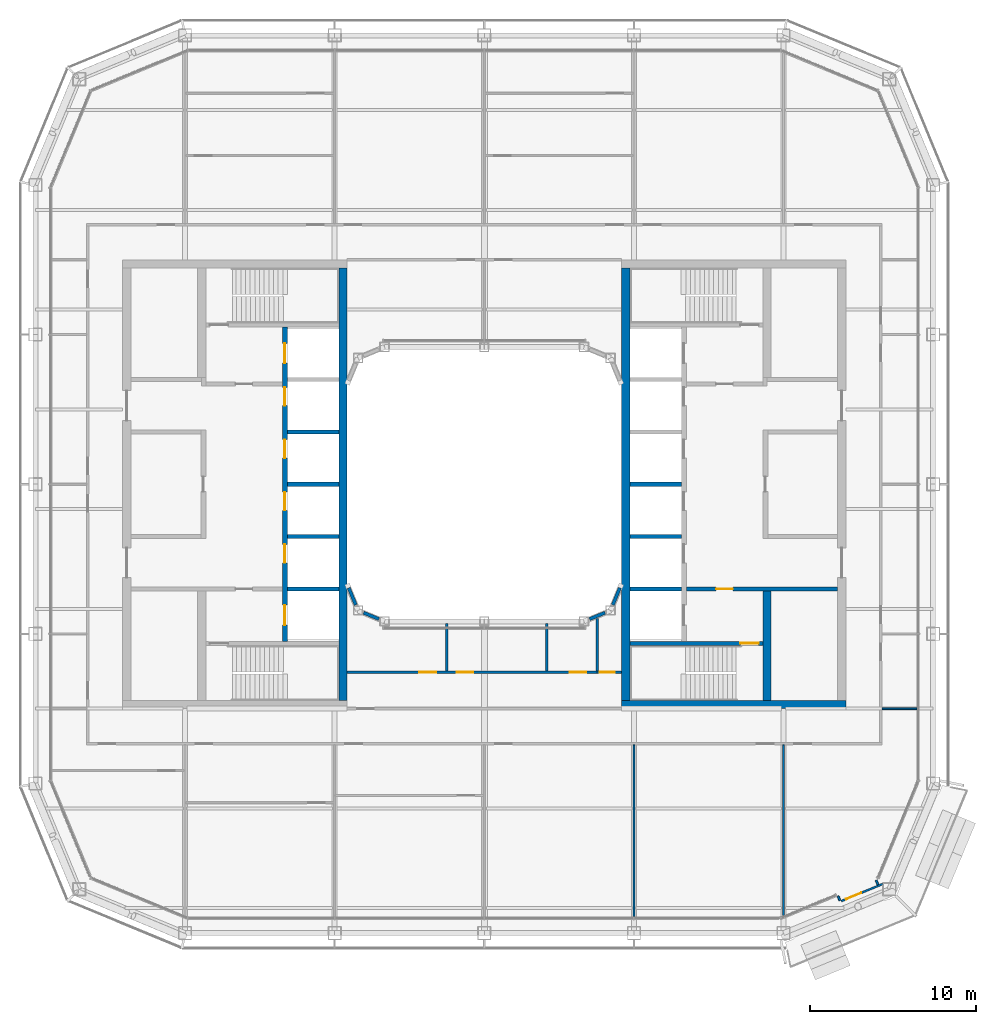
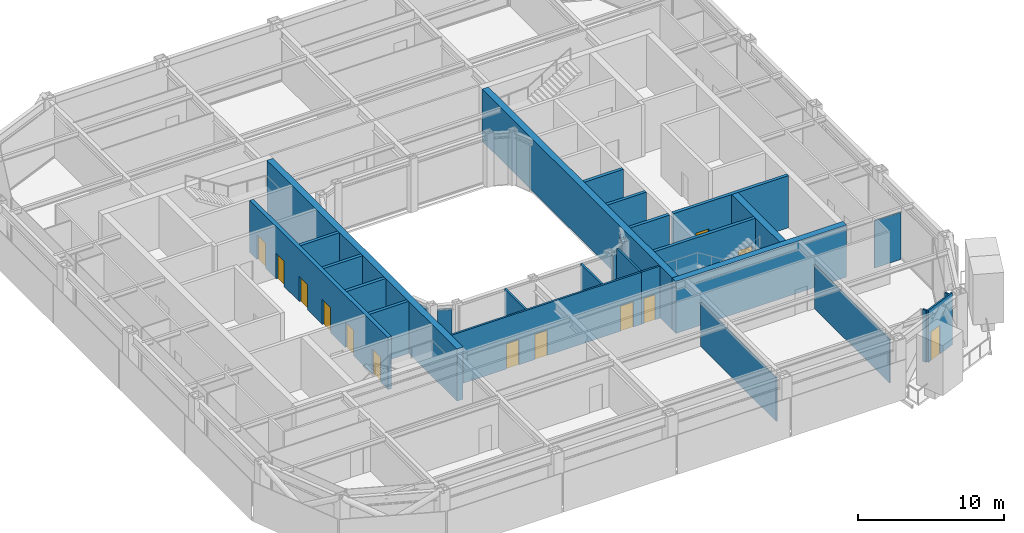
# One storey, part 13 of 23: 29 walls, 13 doors, 13 openings.
"""IFC4 building model written with IfcOpenShell, lengths in metres."""

import ifcopenshell
import ifcopenshell.guid

model = None  # the IFC model being written
_history = None  # IfcOwnerHistory: only IFC2X3 demands one
_inside = {}  # id of a spatial element -> (the spatial element, [elements in it])
_under = {}  # id of a project, library or spatial element -> (it, [spatial elements below it])
_declared = {}  # id of a project -> (the project, [libraries it declares])
_typed = {}  # id of a type object -> (the type object, [elements of that type])
_made_of = {}  # id of a material, layer set ... -> (it, [elements and type objects made of it])


def new_model(schema):
    """Start an empty IFC model of exactly this schema.

    Asked for "IFC4X3", IfcOpenShell would pick the latest addendum, in which some entities
    have other attributes; the version numbers below select the first issue.
    IFC2X3 requires an IfcOwnerHistory on every rooted entity: one is made here for all.
    """
    global model, _history
    if schema == "IFC4X3":
        model = ifcopenshell.file(schema_version=(4, 3, 0, 0))
    else:
        model = ifcopenshell.file(schema=schema)
    _inside.clear()
    _under.clear()
    _declared.clear()
    _typed.clear()
    _made_of.clear()
    _history = None
    if model.schema == "IFC2X3":
        org = make("IfcOrganization", Name="unknown")
        user = make(
            "IfcPersonAndOrganization",
            ThePerson=make("IfcPerson", FamilyName="unknown"),
            TheOrganization=org,
        )
        app = make(
            "IfcApplication",
            ApplicationDeveloper=org,
            Version="unknown",
            ApplicationFullName="unknown",
            ApplicationIdentifier="unknown",
        )
        _history = make(
            "IfcOwnerHistory",
            OwningUser=user,
            OwningApplication=app,
            ChangeAction="ADDED",
            CreationDate=0,
        )
    return model


def make(cls, **values):
    """One entity of the class cls with the attributes given. An attribute that is None is left unset."""
    return model.create_entity(
        cls, **{name: value for name, value in values.items() if value is not None}
    )


def rooted(cls, **values):
    """An entity with a GlobalId (a new one), such as an element, a storey or a relation."""
    return make(cls, GlobalId=ifcopenshell.guid.new(), OwnerHistory=_history, **values)


def si_unit(unit_type, name, prefix=None):
    """IfcSIUnit, for example si_unit("LENGTHUNIT", "METRE", prefix="MILLI")."""
    return make("IfcSIUnit", UnitType=unit_type, Prefix=prefix, Name=name)


def assignment(units):
    """IfcUnitAssignment: the units of a project."""
    return None if units is None else make("IfcUnitAssignment", Units=units)


def point(xyz):
    """IfcCartesianPoint."""
    return None if xyz is None else make("IfcCartesianPoint", Coordinates=xyz)


def direction(xyz):
    """IfcDirection."""
    return None if xyz is None else make("IfcDirection", DirectionRatios=xyz)


def frame(location, z_axis=None, x_axis=None):
    """IfcAxis2Placement3D, a coordinate frame: its origin and axes. An axis left out is left unset."""
    return make(
        "IfcAxis2Placement3D",
        Location=point(location),
        Axis=direction(z_axis),
        RefDirection=direction(x_axis),
    )


def frame_2d(location, x_axis=None):
    """IfcAxis2Placement2D, a coordinate frame in the plane: its origin and x axis."""
    return make(
        "IfcAxis2Placement2D", Location=point(location), RefDirection=direction(x_axis)
    )


def origin():
    """The frame at (0, 0, 0) with its axes left unset."""
    return frame((0.0, 0.0, 0.0))


def place(relative_to, where):
    """IfcLocalPlacement: puts the frame where relative to a parent placement (None: the world)."""
    return make(
        "IfcLocalPlacement", PlacementRelTo=relative_to, RelativePlacement=where
    )


def context(
    kind, dimensions, precision=None, world=None, true_north=None, identifier=None
):
    """IfcGeometricRepresentationContext, for example the 3D "Model" context."""
    return make(
        "IfcGeometricRepresentationContext",
        ContextIdentifier=identifier,
        ContextType=kind,
        CoordinateSpaceDimension=dimensions,
        Precision=precision,
        WorldCoordinateSystem=world,
        TrueNorth=true_north,
    )


def subcontext(parent, identifier, kind, view, scale=None):
    """IfcGeometricRepresentationSubContext, for example "Body" below "Model"."""
    return make(
        "IfcGeometricRepresentationSubContext",
        ContextIdentifier=identifier,
        ContextType=kind,
        ParentContext=parent,
        TargetScale=scale,
        TargetView=view,
    )


def project(units=None, contexts=None):
    """IfcProject with its units and contexts."""
    return rooted(
        "IfcProject",
        Name="project",
        RepresentationContexts=contexts,
        UnitsInContext=assignment(units),
    )


def spatial(cls, under=None, at=None, **own):
    """A site, building, storey or space (cls), placed at a placement, below another one or the project."""
    s = rooted(cls, ObjectPlacement=at, **own)
    if under is not None:
        _under.setdefault(under.id(), (under, []))[1].append(s)
    return s


def profile(cls, at=None, kind="AREA", **sizes):
    """A parametric profile (cls). Its sizes go by their IFC names, for example OverallWidth=200.0."""
    return make(cls, ProfileType=kind, Position=at, **sizes)


def rectangle(**sizes):
    """IfcRectangleProfileDef."""
    return profile("IfcRectangleProfileDef", **sizes)


def extrude(swept, where, along, depth):
    """IfcExtrudedAreaSolid: the profile swept, set in the frame where, extruded along a direction by depth."""
    return make(
        "IfcExtrudedAreaSolid",
        SweptArea=swept,
        Position=where,
        ExtrudedDirection=direction(along),
        Depth=depth,
    )


def shape(context_of_items, identifier, shape_type, items):
    """IfcShapeRepresentation: the items that make up one representation, for example the "Body"."""
    return make(
        "IfcShapeRepresentation",
        ContextOfItems=context_of_items,
        RepresentationIdentifier=identifier,
        RepresentationType=shape_type,
        Items=items,
    )


def material(Name=None, Category=None):
    """IfcMaterial."""
    return make("IfcMaterial", Name=Name, Category=Category)


def layer(
    of_material, thickness, ventilated=None, Name=None, Category=None, Priority=None
):
    """IfcMaterialLayer: one layer of a wall or slab, of a material (None: an air gap)."""
    return make(
        "IfcMaterialLayer",
        Material=of_material,
        LayerThickness=thickness,
        IsVentilated=ventilated,
        Name=Name,
        Category=Category,
        Priority=Priority,
    )


def layer_set(layers, Name=None):
    """IfcMaterialLayerSet."""
    return make("IfcMaterialLayerSet", MaterialLayers=layers, LayerSetName=Name)


def made_of(thing, what):
    """Note that an element or type object is made of a material, layer set ...; save() writes the relation."""
    if what is not None:
        _made_of.setdefault(what.id(), (what, []))[1].append(thing)
    return thing


def type_object(cls, material=None, **own):
    """A type object (cls), such as IfcWallType, which elements share."""
    return made_of(rooted(cls, **own), material)


def element(
    cls,
    number,
    at=None,
    inside=None,
    cuts=None,
    type_object=None,
    material=None,
    context=None,
    identifier="Body",
    shape_type=None,
    held_by="IfcProductDefinitionShape",
    body=None,
    shapes=None,
    **own,
):
    """One element of the class cls, such as IfcWall. Its Tag is "e" and its number.

    at: its placement. inside: the storey or other place that contains it. cuts: it is an
    opening in that element (IfcRelVoidsElement). A single representation is given by context,
    identifier, shape_type and body (its items); several are given by shapes. held_by: the class
    of the entity that holds the representations. save() writes the other relations.
    """
    e = rooted(cls, Tag="e%d" % number, ObjectPlacement=at, **own)
    if body is not None:
        shapes = [shape(context, identifier, shape_type, body)]
    if shapes is not None:
        e.Representation = make(held_by, Representations=shapes)
    if inside is not None:
        _inside.setdefault(inside.id(), (inside, []))[1].append(e)
    if cuts is not None:
        rooted(
            "IfcRelVoidsElement", RelatingBuildingElement=cuts, RelatedOpeningElement=e
        )
    if type_object is not None:
        _typed.setdefault(type_object.id(), (type_object, []))[1].append(e)
    return made_of(e, material)


def fill(opening, filler):
    """IfcRelFillsElement: the door or window that sits in an opening."""
    return rooted(
        "IfcRelFillsElement",
        RelatingOpeningElement=opening,
        RelatedBuildingElement=filler,
    )


def aggregate(whole, parts):
    """IfcRelAggregates: a whole, such as a stair, and the parts it consists of."""
    return rooted("IfcRelAggregates", RelatingObject=whole, RelatedObjects=parts)


def save(model, path):
    """Write the relations noted so far, then the file.

    IfcRelAggregates (storeys below a building ...), IfcRelContainedInSpatialStructure (elements
    in a storey), IfcRelDefinesByType, IfcRelAssociatesMaterial and IfcRelDeclares: one each for
    every whole, place, type object, material and project.
    """
    for whole, parts in _under.values():
        aggregate(whole, parts)
    for where, things in _inside.values():
        rooted(
            "IfcRelContainedInSpatialStructure",
            RelatedElements=things,
            RelatingStructure=where,
        )
    for kind, things in _typed.values():
        rooted("IfcRelDefinesByType", RelatedObjects=things, RelatingType=kind)
    for what, things in _made_of.values():
        rooted("IfcRelAssociatesMaterial", RelatedObjects=things, RelatingMaterial=what)
    for by, libraries in _declared.values():
        rooted("IfcRelDeclares", RelatingContext=by, RelatedDefinitions=libraries)
    model.write(path)


model = new_model("IFC4")

# Units and contexts
model_context = context("Model", 3, precision=1e-05, world=origin(), true_north=direction((0.0, 1.0)))
body_context = subcontext(model_context, "Body", "Model", "MODEL_VIEW")
ifc_project = project(units=[si_unit("LENGTHUNIT", "METRE"), si_unit("AREAUNIT", "SQUARE_METRE"), si_unit("VOLUMEUNIT", "CUBIC_METRE"), si_unit("PLANEANGLEUNIT", "RADIAN"), si_unit("MASSUNIT", "GRAM", prefix="KILO")], contexts=[model_context])

# Site, building, storey
site_placement = place(None, origin())
site = spatial("IfcSite", under=ifc_project, at=site_placement, CompositionType="ELEMENT")
building_placement = place(site_placement, origin())
building = spatial("IfcBuilding", under=site, at=building_placement, Name="Siwar Civic Tower", CompositionType="ELEMENT")
storey_placement = place(building_placement, frame((0.0, 0.0, 237.699951171875)))
storey = spatial("IfcBuildingStorey", under=building, at=storey_placement, Name="L51", CompositionType="ELEMENT", Elevation=237.699951171875)

# Wall, opening, door
ifc_material_1 = material(Name="Gypsum board on steel studs", Category="steel")
ifc_layer_1 = layer(ifc_material_1, 0.14990234375)
ifc_layer_set_1 = layer_set([ifc_layer_1], Name="Gypsum board on steel studs")
wall_type_1 = type_object("IfcWallType", Name="COMPARTMENT PARTITION 150 EI 60", PredefinedType="PARTITIONING", material=ifc_layer_set_1)
wall_1_placement = place(storey_placement, frame((6.780029296875, -11.300048828125, 0.0), z_axis=(0.0, 0.0, 1.0), x_axis=(1.0, 0.0, 0.0)))
wall_1 = element("IfcWall", 1, at=wall_1_placement, inside=storey, type_object=wall_type_1, Name="L51/wall/P09", PredefinedType="PARTITIONING", context=body_context, shape_type="SweptSolid", body=[
    extrude(rectangle(XDim=1.469970703125, YDim=0.14990234375, at=frame_2d((0.73486328125, 0.0))), origin(), (0.0, 0.0, 1.0), 4.35009765625),
])
opening_1_placement = place(wall_1_placement, frame((0.169921875, 0.0, 0.0)))
opening_1 = element("IfcOpeningElement", 2, at=opening_1_placement, cuts=wall_1, Name="Opening D4", PredefinedType="OPENING", context=body_context, shape_type="SweptSolid", body=[
    extrude(rectangle(XDim=0.89990234375, YDim=2.10009765625, at=frame_2d((0.449951171875, 1.050048828125))), frame((0.0, 0.0849609375, 0.0), z_axis=(0.0, -1.0, 0.0), x_axis=(1.0, 0.0, 0.0)), (0.0, 0.0, 1.0), 0.169921875),
])
ifc_material_2 = material(Name="Timber, painted", Category="wood")
door_type_1 = type_object("IfcDoorType", Name="DOOR 900 X 2100 FD60", OperationType="SINGLE_SWING_LEFT", PredefinedType="DOOR", material=ifc_material_2)
door_1_placement = place(opening_1_placement, origin())
door_1 = element("IfcDoor", 3, at=door_1_placement, inside=storey, type_object=door_type_1, Name="L51-D34", OperationType="SINGLE_SWING_RIGHT", OverallHeight=2.10009765625, OverallWidth=0.89990234375, PredefinedType="DOOR", context=body_context, shape_type="SweptSolid", body=[
    extrude(rectangle(XDim=0.89990234375, YDim=2.10009765625, at=frame_2d((0.449951171875, 1.050048828125))), frame((0.0, 0.02490234375, 0.0), z_axis=(0.0, -1.0, 0.0), x_axis=(1.0, 0.0, 0.0)), (0.0, 0.0, 1.0), 0.050048828125),
])
fill(opening_1, door_1)

# Walls
wall_2_placement = place(storey_placement, frame((6.780029296875, -11.22509765625, 0.0), z_axis=(0.0, 0.0, 1.0), x_axis=(0.0, 1.0, 0.0)))
element("IfcWall", 4, at=wall_2_placement, inside=storey, type_object=wall_type_1, Name="L51/wall/P34", PredefinedType="PARTITIONING", context=body_context, shape_type="SweptSolid", body=[
    extrude(rectangle(XDim=3.13818359375, YDim=0.14990234375, at=frame_2d((1.569091796875, 0.0))), origin(), (0.0, 0.0, 1.0), 4.35009765625),
])
ifc_material_3 = material(Name="Concrete C60/75", Category="concrete")
ifc_layer_2 = layer(ifc_material_3, 0.25)
ifc_layer_set_2 = layer_set([ifc_layer_2], Name="Concrete C60/75")
wall_type_2 = type_object("IfcWallType", Name="CORE-WALL-RC250", PredefinedType="SHEAR", material=ifc_layer_set_2)
for number, where, z_axis, x_axis, name in (
    (5, (-8.75, 0.0, 0.0), (0.0, 0.0, 1.0), (-1.0, 0.0, 0.0), "Core wall W"),
    (6, (-8.75, 3.14990234375, 0.0), (0.0, 0.0, 1.0), (-1.0, 0.0, 0.0), "Core wall W"),
    (7, (-8.75, -3.14990234375, 0.0), (0.0, 0.0, 1.0), (-1.0, 0.0, 0.0), "Core wall W"),
    (8, (-8.75, -6.300048828125, 0.0), (0.0, 0.0, 1.0), (-1.0, 0.0, 0.0), "Core wall W"),
):
    element("IfcWall", number, at=place(storey_placement, frame(where, z_axis=z_axis, x_axis=x_axis)), inside=storey, type_object=wall_type_2, Name=name, PredefinedType="SHEAR", context=body_context, shape_type="SweptSolid", body=[
        extrude(rectangle(XDim=3.10009765625, YDim=0.25, at=frame_2d((1.550048828125, 0.0))), origin(), (0.0, 0.0, 1.0), 4.35009765625),
    ])

# Wall, opening, door
wall_3_placement = place(storey_placement, frame((12.14990234375, -6.300048828125, 0.0), z_axis=(0.0, 0.0, 1.0), x_axis=(1.0, 0.0, 0.0)))
wall_3 = element("IfcWall", 9, at=wall_3_placement, inside=storey, type_object=wall_type_2, Name="Core wall E", PredefinedType="SHEAR", context=body_context, shape_type="SweptSolid", body=[
    extrude(rectangle(XDim=9.10009765625, YDim=0.25, at=frame_2d((4.550048828125, 0.0))), origin(), (0.0, 0.0, 1.0), 4.35009765625),
])
opening_2_placement = place(wall_3_placement, frame((1.800048828125, 0.0, 0.0)))
opening_2 = element("IfcOpeningElement", 10, at=opening_2_placement, cuts=wall_3, Name="Opening L51-CE02", PredefinedType="OPENING", context=body_context, shape_type="SweptSolid", body=[
    extrude(rectangle(XDim=1.0, YDim=2.10009765625, at=frame_2d((0.5, 1.050048828125))), frame((0.0, 0.135009765625, 0.0), z_axis=(0.0, -1.0, 0.0), x_axis=(1.0, 0.0, 0.0)), (0.0, 0.0, 1.0), 0.27001953125),
])
ifc_material_4 = material(Name="Steel door leaf", Category="steel")
door_type_2 = type_object("IfcDoorType", Name="CORE-DOOR-FD30S", OperationType="SINGLE_SWING_LEFT", PredefinedType="DOOR", material=ifc_material_4)
door_2_placement = place(opening_2_placement, origin())
door_2 = element("IfcDoor", 11, at=door_2_placement, inside=storey, type_object=door_type_2, Name="Service lobby door L51-CE02", OperationType="SINGLE_SWING_LEFT", OverallHeight=2.10009765625, OverallWidth=1.0, PredefinedType="DOOR", context=body_context, shape_type="SweptSolid", body=[
    extrude(rectangle(XDim=1.0, YDim=2.10009765625, at=frame_2d((0.5, 1.050048828125))), frame((0.0, 0.02490234375, 0.0), z_axis=(0.0, -1.0, 0.0), x_axis=(1.0, 0.0, 0.0)), (0.0, 0.0, 1.0), 0.050048828125),
])
fill(opening_2, door_2)

# Walls
for number, where, z_axis, x_axis, name in (
    (12, (8.75, 0.0, 0.0), (0.0, 0.0, 1.0), (1.0, 0.0, 0.0), "Core wall E"),
    (13, (8.75, -3.14990234375, 0.0), (0.0, 0.0, 1.0), (1.0, 0.0, 0.0), "Core wall E"),
    (14, (8.75, -6.300048828125, 0.0), (0.0, 0.0, 1.0), (1.0, 0.0, 0.0), "Core wall E"),
):
    element("IfcWall", number, at=place(storey_placement, frame(where, z_axis=z_axis, x_axis=x_axis)), inside=storey, type_object=wall_type_2, Name=name, PredefinedType="SHEAR", context=body_context, shape_type="SweptSolid", body=[
        extrude(rectangle(XDim=3.10009765625, YDim=0.25, at=frame_2d((1.550048828125, 0.0))), origin(), (0.0, 0.0, 1.0), 4.35009765625),
    ])

# Wall, opening, door
wall_4_placement = place(storey_placement, frame((8.75, -9.574951171875, 0.0), z_axis=(0.0, 0.0, 1.0), x_axis=(1.0, 0.0, 0.0)))
wall_4 = element("IfcWall", 15, at=wall_4_placement, inside=storey, type_object=wall_type_2, Name="Core wall E", PredefinedType="SHEAR", context=body_context, shape_type="SweptSolid", body=[
    extrude(rectangle(XDim=8.0, YDim=0.25, at=frame_2d((4.0, 0.0))), origin(), (0.0, 0.0, 1.0), 4.35009765625),
])
opening_3_placement = place(wall_4_placement, frame((6.64990234375, 0.0, 0.0)))
opening_3 = element("IfcOpeningElement", 16, at=opening_3_placement, cuts=wall_4, Name="Opening L51-CE04", PredefinedType="OPENING", context=body_context, shape_type="SweptSolid", body=[
    extrude(rectangle(XDim=1.10009765625, YDim=2.10009765625, at=frame_2d((0.550048828125, 1.050048828125))), frame((0.0, 0.135009765625, 0.0), z_axis=(0.0, -1.0, 0.0), x_axis=(1.0, 0.0, 0.0)), (0.0, 0.0, 1.0), 0.27001953125),
])
ifc_material_5 = material(Name="Steel door leaf", Category="steel")
door_type_3 = type_object("IfcDoorType", Name="CORE-DOOR-FD60S", OperationType="SINGLE_SWING_LEFT", PredefinedType="DOOR", material=ifc_material_5)
door_3_placement = place(opening_3_placement, origin())
door_3 = element("IfcDoor", 17, at=door_3_placement, inside=storey, type_object=door_type_3, Name="Stair door L51-CE04", OperationType="SINGLE_SWING_RIGHT", OverallHeight=2.10009765625, OverallWidth=1.10009765625, PredefinedType="DOOR", context=body_context, shape_type="SweptSolid", body=[
    extrude(rectangle(XDim=1.10009765625, YDim=2.10009765625, at=frame_2d((0.550048828125, 1.050048828125))), frame((0.0, 0.02490234375, 0.0), z_axis=(0.0, -1.0, 0.0), x_axis=(1.0, 0.0, 0.0)), (0.0, 0.0, 1.0), 0.050048828125),
])
fill(opening_3, door_3)

# Wall, openings, doors
ifc_material_6 = material(Name="Concrete C60/75", Category="concrete")
ifc_layer_3 = layer(ifc_material_6, 0.300048828125)
ifc_layer_set_3 = layer_set([ifc_layer_3], Name="Concrete C60/75")
wall_type_3 = type_object("IfcWallType", Name="CORE-WALL-RC300", PredefinedType="SHEAR", material=ifc_layer_set_3)
wall_5_placement = place(storey_placement, frame((-12.0, -9.449951171875, 0.0), z_axis=(0.0, 0.0, 1.0), x_axis=(0.0, 1.0, 0.0)))
wall_5 = element("IfcWall", 18, at=wall_5_placement, inside=storey, type_object=wall_type_3, Name="Core wall W", PredefinedType="SHEAR", context=body_context, shape_type="SweptSolid", body=[
    extrude(rectangle(XDim=18.89990234375, YDim=0.300048828125, at=frame_2d((9.449951171875, 0.0))), origin(), (0.0, 0.0, 1.0), 4.35009765625),
])
opening_4_placement = place(wall_5_placement, frame((4.72509765625, 0.0, 0.0)))
opening_4 = element("IfcOpeningElement", 19, at=opening_4_placement, cuts=wall_5, Name="Opening L51-CW07", PredefinedType="OPENING", context=body_context, shape_type="SweptSolid", body=[
    extrude(rectangle(XDim=1.10009765625, YDim=2.10009765625, at=frame_2d((0.550048828125, 1.050048828125))), frame((0.0, 0.16015625, 0.0), z_axis=(0.0, -1.0, 0.0), x_axis=(1.0, 0.0, 0.0)), (0.0, 0.0, 1.0), 0.320068359375),
])
opening_5_placement = place(wall_5_placement, frame((7.875, 0.0, 0.0)))
opening_5 = element("IfcOpeningElement", 20, at=opening_5_placement, cuts=wall_5, Name="Opening L51-CW08", PredefinedType="OPENING", context=body_context, shape_type="SweptSolid", body=[
    extrude(rectangle(XDim=1.10009765625, YDim=2.10009765625, at=frame_2d((0.550048828125, 1.050048828125))), frame((0.0, 0.16015625, 0.0), z_axis=(0.0, -1.0, 0.0), x_axis=(1.0, 0.0, 0.0)), (0.0, 0.0, 1.0), 0.320068359375),
])
opening_6_placement = place(wall_5_placement, frame((11.02490234375, 0.0, 0.0)))
opening_6 = element("IfcOpeningElement", 21, at=opening_6_placement, cuts=wall_5, Name="Opening L51-CW09", PredefinedType="OPENING", context=body_context, shape_type="SweptSolid", body=[
    extrude(rectangle(XDim=1.10009765625, YDim=2.10009765625, at=frame_2d((0.550048828125, 1.050048828125))), frame((0.0, 0.16015625, 0.0), z_axis=(0.0, -1.0, 0.0), x_axis=(1.0, 0.0, 0.0)), (0.0, 0.0, 1.0), 0.320068359375),
])
opening_7_placement = place(wall_5_placement, frame((14.175048828125, 0.0, 0.0)))
opening_7 = element("IfcOpeningElement", 22, at=opening_7_placement, cuts=wall_5, Name="Opening L51-CW10", PredefinedType="OPENING", context=body_context, shape_type="SweptSolid", body=[
    extrude(rectangle(XDim=1.10009765625, YDim=2.10009765625, at=frame_2d((0.550048828125, 1.050048828125))), frame((0.0, 0.16015625, 0.0), z_axis=(0.0, -1.0, 0.0), x_axis=(1.0, 0.0, 0.0)), (0.0, 0.0, 1.0), 0.320068359375),
])
opening_8_placement = place(wall_5_placement, frame((16.72509765625, 0.0, 0.0)))
opening_8 = element("IfcOpeningElement", 23, at=opening_8_placement, cuts=wall_5, Name="Opening L51-CW11", PredefinedType="OPENING", context=body_context, shape_type="SweptSolid", body=[
    extrude(rectangle(XDim=1.199951171875, YDim=2.10009765625, at=frame_2d((0.60009765625, 1.050048828125))), frame((0.0, 0.16015625, 0.0), z_axis=(0.0, -1.0, 0.0), x_axis=(1.0, 0.0, 0.0)), (0.0, 0.0, 1.0), 0.320068359375),
])
opening_9_placement = place(wall_5_placement, frame((0.97509765625, 0.0, 0.0)))
opening_9 = element("IfcOpeningElement", 24, at=opening_9_placement, cuts=wall_5, Name="Opening L51-CW12", PredefinedType="OPENING", context=body_context, shape_type="SweptSolid", body=[
    extrude(rectangle(XDim=1.199951171875, YDim=2.10009765625, at=frame_2d((0.60009765625, 1.050048828125))), frame((0.0, 0.16015625, 0.0), z_axis=(0.0, -1.0, 0.0), x_axis=(1.0, 0.0, 0.0)), (0.0, 0.0, 1.0), 0.320068359375),
])
ifc_material_7 = material(Name="Steel door leaf", Category="steel")
door_type_4 = type_object("IfcDoorType", Name="CORE-DOOR-LD", OperationType="DOUBLE_DOOR_SLIDING", PredefinedType="DOOR", material=ifc_material_7)
door_4_placement = place(opening_4_placement, origin())
door_4 = element("IfcDoor", 25, at=door_4_placement, inside=storey, type_object=door_type_4, Name="Landing door HR1 L51-CW07", OperationType="DOUBLE_DOOR_SLIDING", OverallHeight=2.10009765625, OverallWidth=1.10009765625, PredefinedType="DOOR", context=body_context, shape_type="SweptSolid", body=[
    extrude(rectangle(XDim=1.10009765625, YDim=2.10009765625, at=frame_2d((0.550048828125, 1.050048828125))), frame((0.0, 0.02490234375, 0.0), z_axis=(0.0, -1.0, 0.0), x_axis=(1.0, 0.0, 0.0)), (0.0, 0.0, 1.0), 0.050048828125),
])
fill(opening_4, door_4)
door_5_placement = place(opening_5_placement, origin())
door_5 = element("IfcDoor", 26, at=door_5_placement, inside=storey, type_object=door_type_4, Name="Landing door HR2 L51-CW08", OperationType="DOUBLE_DOOR_SLIDING", OverallHeight=2.10009765625, OverallWidth=1.10009765625, PredefinedType="DOOR", context=body_context, shape_type="SweptSolid", body=[
    extrude(rectangle(XDim=1.10009765625, YDim=2.10009765625, at=frame_2d((0.550048828125, 1.050048828125))), frame((0.0, 0.02490234375, 0.0), z_axis=(0.0, -1.0, 0.0), x_axis=(1.0, 0.0, 0.0)), (0.0, 0.0, 1.0), 0.050048828125),
])
fill(opening_5, door_5)
door_6_placement = place(opening_6_placement, origin())
door_6 = element("IfcDoor", 27, at=door_6_placement, inside=storey, type_object=door_type_4, Name="Landing door HR3 L51-CW09", OperationType="DOUBLE_DOOR_SLIDING", OverallHeight=2.10009765625, OverallWidth=1.10009765625, PredefinedType="DOOR", context=body_context, shape_type="SweptSolid", body=[
    extrude(rectangle(XDim=1.10009765625, YDim=2.10009765625, at=frame_2d((0.550048828125, 1.050048828125))), frame((0.0, 0.02490234375, 0.0), z_axis=(0.0, -1.0, 0.0), x_axis=(1.0, 0.0, 0.0)), (0.0, 0.0, 1.0), 0.050048828125),
])
fill(opening_6, door_6)
door_7_placement = place(opening_7_placement, origin())
door_7 = element("IfcDoor", 28, at=door_7_placement, inside=storey, type_object=door_type_4, Name="Landing door HR4 L51-CW10", OperationType="DOUBLE_DOOR_SLIDING", OverallHeight=2.10009765625, OverallWidth=1.10009765625, PredefinedType="DOOR", context=body_context, shape_type="SweptSolid", body=[
    extrude(rectangle(XDim=1.10009765625, YDim=2.10009765625, at=frame_2d((0.550048828125, 1.050048828125))), frame((0.0, 0.02490234375, 0.0), z_axis=(0.0, -1.0, 0.0), x_axis=(1.0, 0.0, 0.0)), (0.0, 0.0, 1.0), 0.050048828125),
])
fill(opening_7, door_7)
ifc_material_8 = material(Name="Steel door leaf", Category="steel")
door_type_5 = type_object("IfcDoorType", Name="CORE-DOOR-LDW", OperationType="DOUBLE_DOOR_SLIDING", PredefinedType="DOOR", material=ifc_material_8)
door_8_placement = place(opening_8_placement, origin())
door_8 = element("IfcDoor", 29, at=door_8_placement, inside=storey, type_object=door_type_5, Name="Landing door FF1 L51-CW11", OperationType="DOUBLE_DOOR_SLIDING", OverallHeight=2.10009765625, OverallWidth=1.199951171875, PredefinedType="DOOR", context=body_context, shape_type="SweptSolid", body=[
    extrude(rectangle(XDim=1.199951171875, YDim=2.10009765625, at=frame_2d((0.60009765625, 1.050048828125))), frame((0.0, 0.02490234375, 0.0), z_axis=(0.0, -1.0, 0.0), x_axis=(1.0, 0.0, 0.0)), (0.0, 0.0, 1.0), 0.050048828125),
])
fill(opening_8, door_8)
door_9_placement = place(opening_9_placement, origin())
door_9 = element("IfcDoor", 30, at=door_9_placement, inside=storey, type_object=door_type_5, Name="Landing door SV1 L51-CW12", OperationType="DOUBLE_DOOR_SLIDING", OverallHeight=2.10009765625, OverallWidth=1.199951171875, PredefinedType="DOOR", context=body_context, shape_type="SweptSolid", body=[
    extrude(rectangle(XDim=1.199951171875, YDim=2.10009765625, at=frame_2d((0.60009765625, 1.050048828125))), frame((0.0, 0.02490234375, 0.0), z_axis=(0.0, -1.0, 0.0), x_axis=(1.0, 0.0, 0.0)), (0.0, 0.0, 1.0), 0.050048828125),
])
fill(opening_9, door_9)

# Walls
ifc_material_9 = material(Name="Concrete C60/75", Category="concrete")
ifc_layer_4 = layer(ifc_material_9, 0.5)
ifc_layer_set_4 = layer_set([ifc_layer_4], Name="Concrete C60/75")
wall_type_4 = type_object("IfcWallType", Name="CORE-WALL-RC500", PredefinedType="SHEAR", material=ifc_layer_set_4)
wall_6_placement = place(storey_placement, frame((17.0, -13.0, 0.0), z_axis=(0.0, 0.0, 1.0), x_axis=(0.0, 1.0, 0.0)))
element("IfcWall", 31, at=wall_6_placement, inside=storey, type_object=wall_type_4, Name="Core wall E", PredefinedType="SHEAR", context=body_context, shape_type="SweptSolid", body=[
    extrude(rectangle(XDim=6.574951171875, YDim=0.5, at=frame_2d((3.28759765625, 0.0))), origin(), (0.0, 0.0, 1.0), 4.35009765625),
])
wall_7_placement = place(storey_placement, frame((8.25, -13.25, 0.0), z_axis=(0.0, 0.0, 1.0), x_axis=(1.0, 0.0, 0.0)))
element("IfcWall", 32, at=wall_7_placement, inside=storey, type_object=wall_type_4, Name="Core wall E", PredefinedType="SHEAR", context=body_context, shape_type="SweptSolid", body=[
    extrude(rectangle(XDim=13.5, YDim=0.5, at=frame_2d((6.75, 0.0))), origin(), (0.0, 0.0, 1.0), 4.35009765625),
])
ifc_material_10 = material(Name="Concrete C60/75", Category="concrete")
ifc_layer_5 = layer(ifc_material_10, 0.5)
ifc_layer_set_5 = layer_set([ifc_layer_5], Name="Concrete C60/75")
wall_type_5 = type_object("IfcWallType", Name="CORE-WALL-RC500-EXT", PredefinedType="SHEAR", material=ifc_layer_set_5)
for number, where, z_axis, x_axis, name in (
    (33, (-8.5, -13.0, 0.0), (0.0, 0.0, 1.0), (0.0, 1.0, 0.0), "Core wall W"),
    (34, (8.5, -13.0, 0.0), (0.0, 0.0, 1.0), (0.0, 1.0, 0.0), "Core wall E"),
):
    element("IfcWall", number, at=place(storey_placement, frame(where, z_axis=z_axis, x_axis=x_axis)), inside=storey, type_object=wall_type_5, Name=name, PredefinedType="SHEAR", context=body_context, shape_type="SweptSolid", body=[
        extrude(rectangle(XDim=26.0, YDim=0.5, at=frame_2d((13.0, 0.0))), origin(), (0.0, 0.0, 1.0), 4.35009765625),
    ])

# Wall, openings, doors
ifc_material_11 = material(Name="Gypsum board on steel studs", Category="steel")
ifc_layer_6 = layer(ifc_material_11, 0.14990234375)
ifc_layer_set_6 = layer_set([ifc_layer_6], Name="Gypsum board on steel studs")
wall_type_6 = type_object("IfcWallType", Name="CORRIDOR PARTITION 150 EI 30", PredefinedType="PARTITIONING", material=ifc_layer_set_6)
wall_8_placement = place(storey_placement, frame((-8.25, -11.300048828125, 0.0), z_axis=(0.0, 0.0, 1.0), x_axis=(1.0, 0.0, 0.0)))
wall_8 = element("IfcWall", 35, at=wall_8_placement, inside=storey, type_object=wall_type_6, Name="L51/wall/P08", PredefinedType="PARTITIONING", context=body_context, shape_type="SweptSolid", body=[
    extrude(rectangle(XDim=15.030029296875, YDim=0.14990234375, at=frame_2d((7.51513671875, 0.0))), origin(), (0.0, 0.0, 1.0), 4.35009765625),
])
opening_10_placement = place(wall_8_placement, frame((4.35009765625, 0.0, 0.0)))
opening_10 = element("IfcOpeningElement", 36, at=opening_10_placement, cuts=wall_8, Name="Opening D3", PredefinedType="OPENING", context=body_context, shape_type="SweptSolid", body=[
    extrude(rectangle(XDim=1.0, YDim=2.10009765625, at=frame_2d((0.5, 1.050048828125))), frame((0.0, 0.0849609375, 0.0), z_axis=(0.0, -1.0, 0.0), x_axis=(1.0, 0.0, 0.0)), (0.0, 0.0, 1.0), 0.169921875),
])
opening_11_placement = place(wall_8_placement, frame((6.60009765625, 0.0, 0.0)))
opening_11 = element("IfcOpeningElement", 37, at=opening_11_placement, cuts=wall_8, Name="Opening D3", PredefinedType="OPENING", context=body_context, shape_type="SweptSolid", body=[
    extrude(rectangle(XDim=1.0, YDim=2.10009765625, at=frame_2d((0.5, 1.050048828125))), frame((0.0, 0.0849609375, 0.0), z_axis=(0.0, -1.0, 0.0), x_axis=(1.0, 0.0, 0.0)), (0.0, 0.0, 1.0), 0.169921875),
])
opening_12_placement = place(wall_8_placement, frame((13.3798828125, 0.0, 0.0)))
opening_12 = element("IfcOpeningElement", 38, at=opening_12_placement, cuts=wall_8, Name="Opening D3", PredefinedType="OPENING", context=body_context, shape_type="SweptSolid", body=[
    extrude(rectangle(XDim=1.0, YDim=2.10009765625, at=frame_2d((0.5, 1.050048828125))), frame((0.0, 0.0849609375, 0.0), z_axis=(0.0, -1.0, 0.0), x_axis=(1.0, 0.0, 0.0)), (0.0, 0.0, 1.0), 0.169921875),
])
ifc_material_12 = material(Name="Timber, painted", Category="wood")
door_type_6 = type_object("IfcDoorType", Name="DOOR 1000 X 2100 WC", OperationType="SINGLE_SWING_LEFT", PredefinedType="DOOR", material=ifc_material_12)
door_10_placement = place(opening_10_placement, origin())
door_10 = element("IfcDoor", 39, at=door_10_placement, inside=storey, type_object=door_type_6, Name="L51-D31", OperationType="SINGLE_SWING_LEFT", OverallHeight=2.10009765625, OverallWidth=1.0, PredefinedType="DOOR", context=body_context, shape_type="SweptSolid", body=[
    extrude(rectangle(XDim=1.0, YDim=2.10009765625, at=frame_2d((0.5, 1.050048828125))), frame((0.0, 0.02490234375, 0.0), z_axis=(0.0, -1.0, 0.0), x_axis=(1.0, 0.0, 0.0)), (0.0, 0.0, 1.0), 0.050048828125),
])
fill(opening_10, door_10)
door_11_placement = place(opening_11_placement, origin())
door_11 = element("IfcDoor", 40, at=door_11_placement, inside=storey, type_object=door_type_6, Name="L51-D32", OperationType="SINGLE_SWING_RIGHT", OverallHeight=2.10009765625, OverallWidth=1.0, PredefinedType="DOOR", context=body_context, shape_type="SweptSolid", body=[
    extrude(rectangle(XDim=1.0, YDim=2.10009765625, at=frame_2d((0.5, 1.050048828125))), frame((0.0, 0.02490234375, 0.0), z_axis=(0.0, -1.0, 0.0), x_axis=(1.0, 0.0, 0.0)), (0.0, 0.0, 1.0), 0.050048828125),
])
fill(opening_11, door_11)
door_12_placement = place(opening_12_placement, origin())
door_12 = element("IfcDoor", 41, at=door_12_placement, inside=storey, type_object=door_type_6, Name="L51-D33", OperationType="SINGLE_SWING_LEFT", OverallHeight=2.10009765625, OverallWidth=1.0, PredefinedType="DOOR", context=body_context, shape_type="SweptSolid", body=[
    extrude(rectangle(XDim=1.0, YDim=2.10009765625, at=frame_2d((0.5, 1.050048828125))), frame((0.0, 0.02490234375, 0.0), z_axis=(0.0, -1.0, 0.0), x_axis=(1.0, 0.0, 0.0)), (0.0, 0.0, 1.0), 0.050048828125),
])
fill(opening_12, door_12)

# Walls
for number, where, z_axis, x_axis, name in (
    (42, (-2.25, -11.22509765625, 0.0), (0.0, 0.0, 1.0), (0.0, 1.0, 0.0), "L51/wall/P29"),
    (43, (3.75, -11.22509765625, 0.0), (0.0, 0.0, 1.0), (0.0, 1.0, 0.0), "L51/wall/P33"),
):
    element("IfcWall", number, at=place(storey_placement, frame(where, z_axis=z_axis, x_axis=x_axis)), inside=storey, type_object=wall_type_6, Name=name, PredefinedType="PARTITIONING", context=body_context, shape_type="SweptSolid", body=[
        extrude(rectangle(XDim=2.85498046875, YDim=0.14990234375, at=frame_2d((1.427490234375, 0.0))), origin(), (0.0, 0.0, 1.0), 4.35009765625),
    ])
ifc_material_13 = material(Name="Aluminium clad insulated panel", Category="aluminium")
ifc_layer_7 = layer(ifc_material_13, 0.1201171875)
ifc_layer_set_7 = layer_set([ifc_layer_7], Name="Aluminium clad insulated panel")
wall_type_7 = type_object("IfcWallType", Name="ENV-WALL-BAL", PredefinedType="STANDARD", material=ifc_layer_set_7)
wall_9_placement = place(storey_placement, frame((21.27587890625, -24.766357421875, 0.0), z_axis=(0.0, 0.0, 1.0), x_axis=(0.382591441855, -0.923917630863, 0.0)))
element("IfcWall", 44, at=wall_9_placement, inside=storey, type_object=wall_type_7, Name="Balcony door wall return SE1", PredefinedType="STANDARD", context=body_context, shape_type="SweptSolid", body=[
    extrude(rectangle(XDim=0.2998046875, YDim=0.1201171875, at=frame_2d((0.14990234375, 0.0))), origin(), (0.0, 0.0, 1.0), 4.35009765625),
])
wall_10_placement = place(storey_placement, frame((23.56640625, -23.817626953125, 0.0), z_axis=(0.0, 0.0, 1.0), x_axis=(0.383285987724, -0.923629715641, 0.0)))
element("IfcWall", 45, at=wall_10_placement, inside=storey, type_object=wall_type_7, Name="Balcony door wall return SE1", PredefinedType="STANDARD", context=body_context, shape_type="SweptSolid", body=[
    extrude(rectangle(XDim=0.300048828125, YDim=0.1201171875, at=frame_2d((0.14990234375, 0.0))), origin(), (0.0, 0.0, 1.0), 4.35009765625),
])

# Wall, opening, door
wall_11_placement = place(storey_placement, frame((21.468994140625, -25.075927734375, 0.0), z_axis=(0.0, 0.0, 1.0), x_axis=(0.923874686516, 0.382695131424, 0.0)))
wall_11 = element("IfcWall", 46, at=wall_11_placement, inside=storey, type_object=wall_type_7, Name="Balcony door wall SE1", PredefinedType="STANDARD", context=body_context, shape_type="SweptSolid", body=[
    extrude(rectangle(XDim=2.700439453125, YDim=0.1201171875, at=frame_2d((1.35009765625, 0.0))), origin(), (0.0, 0.0, 1.0), 4.35009765625),
])
opening_13_placement = place(wall_11_placement, frame((0.300048828125, 0.0, 0.0)))
opening_13 = element("IfcOpeningElement", 47, at=opening_13_placement, cuts=wall_11, Name="Opening D-BAL", PredefinedType="OPENING", context=body_context, shape_type="SweptSolid", body=[
    extrude(rectangle(XDim=1.0, YDim=2.39990234375, at=frame_2d((0.5, 1.199951171875))), frame((0.0, 0.070068359375, 0.0), z_axis=(0.0, -1.0, 0.0), x_axis=(1.0, 0.0, 0.0)), (0.0, 0.0, 1.0), 0.14013671875),
])
ifc_material_14 = material(Name="Aluminium and glass", Category="aluminium")
door_type_7 = type_object("IfcDoorType", Name="ENV-DOOR-BAL", OperationType="SINGLE_SWING_LEFT", PredefinedType="DOOR", material=ifc_material_14)
door_13_placement = place(opening_13_placement, origin())
door_13 = element("IfcDoor", 48, at=door_13_placement, inside=storey, type_object=door_type_7, Name="Balcony door SE", OperationType="SINGLE_SWING_LEFT", OverallHeight=2.39990234375, OverallWidth=1.0, PredefinedType="DOOR", context=body_context, shape_type="SweptSolid", body=[
    extrude(rectangle(XDim=1.0, YDim=2.39990234375, at=frame_2d((0.5, 1.199951171875))), frame((0.0, 0.02490234375, 0.0), z_axis=(0.0, -1.0, 0.0), x_axis=(1.0, 0.0, 0.0)), (0.0, 0.0, 1.0), 0.050048828125),
])
fill(opening_13, door_13)

# Walls
ifc_material_15 = material(Name="Aluminium clad insulated panel", Category="aluminium")
ifc_layer_8 = layer(ifc_material_15, 0.199951171875)
ifc_layer_set_8 = layer_set([ifc_layer_8], Name="Aluminium clad insulated panel")
wall_type_8 = type_object("IfcWallType", Name="ENV-WALL-WELL", PredefinedType="STANDARD", material=ifc_layer_set_8)
wall_12_placement = place(storey_placement, frame((6.33203125, -8.112548828125, 0.0), z_axis=(0.0, 0.0, 1.0), x_axis=(0.923859650767, 0.382731427616, 0.0)))
element("IfcWall", 49, at=wall_12_placement, inside=storey, type_object=wall_type_8, Name="Light well corner wall SE1", PredefinedType="STANDARD", context=body_context, shape_type="SweptSolid", body=[
    extrude(rectangle(XDim=1.00341796875, YDim=0.199951171875, at=frame_2d((0.501708984375, 0.0))), origin(), (0.0, 0.0, 1.0), 3.91796875),
])
for number, where, z_axis, x_axis, name in (
    (50, (7.728515625, -7.259033203125, 0.0), (0.0, 0.0, 1.0), (0.382635994082, 0.923899180665, 0.0), "Light well corner wall SE2"),
    (51, (-8.154296875, -6.23095703125, 0.0), (0.0, 0.0, 1.0), (0.382635994082, -0.923899180665, 0.0), "Light well corner wall SW1"),
):
    element("IfcWall", number, at=place(storey_placement, frame(where, z_axis=z_axis, x_axis=x_axis)), inside=storey, type_object=wall_type_8, Name=name, PredefinedType="STANDARD", context=body_context, shape_type="SweptSolid", body=[
        extrude(rectangle(XDim=1.11279296875, YDim=0.199951171875, at=frame_2d((0.556396484375, 0.0))), origin(), (0.0, 0.0, 1.0), 3.91796875),
    ])
wall_13_placement = place(storey_placement, frame((-7.259033203125, -7.728515625, 0.0), z_axis=(0.0, 0.0, 1.0), x_axis=(0.923859650767, -0.382731427616, 0.0)))
element("IfcWall", 52, at=wall_13_placement, inside=storey, type_object=wall_type_8, Name="Light well corner wall SW2", PredefinedType="STANDARD", context=body_context, shape_type="SweptSolid", body=[
    extrude(rectangle(XDim=1.00341796875, YDim=0.199951171875, at=frame_2d((0.501708984375, 0.0))), origin(), (0.0, 0.0, 1.0), 3.91796875),
])
ifc_material_16 = material(Name="Gypsum board on steel studs", Category="steel")
ifc_layer_9 = layer(ifc_material_16, 0.10009765625)
ifc_layer_set_9 = layer_set([ifc_layer_9], Name="Gypsum board on steel studs")
wall_type_9 = type_object("IfcWallType", Name="PARTITION 100 GYPSUM", PredefinedType="PARTITIONING", material=ifc_layer_set_9)
wall_14_placement = place(storey_placement, frame((23.925048828125, -13.5, 0.0), z_axis=(0.0, 0.0, 1.0), x_axis=(1.0, 0.0, 0.0)))
element("IfcWall", 53, at=wall_14_placement, inside=storey, type_object=wall_type_9, Name="L51/wall/P06", PredefinedType="PARTITIONING", context=body_context, shape_type="SweptSolid", body=[
    extrude(rectangle(XDim=2.0849609375, YDim=0.10009765625, at=frame_2d((1.04248046875, 0.0))), origin(), (0.0, 0.0, 1.0), 3.949951171875),
])
wall_15_placement = place(storey_placement, frame((9.0, -26.010009765625, 0.0), z_axis=(0.0, 0.0, 1.0), x_axis=(0.0, 1.0, 0.0)))
element("IfcWall", 54, at=wall_15_placement, inside=storey, type_object=wall_type_9, Name="L51/wall/P35", PredefinedType="PARTITIONING", context=body_context, shape_type="SweptSolid", body=[
    extrude(rectangle(XDim=10.3349609375, YDim=0.10009765625, at=frame_2d((5.16748046875, 0.0))), origin(), (0.0, 0.0, 1.0), 3.650146484375),
])
wall_16_placement = place(storey_placement, frame((18.0, -25.927978515625, 0.0), z_axis=(0.0, 0.0, 1.0), x_axis=(0.0, 1.0, 0.0)))
element("IfcWall", 55, at=wall_16_placement, inside=storey, type_object=wall_type_9, Name="L51/wall/P37", PredefinedType="PARTITIONING", context=body_context, shape_type="SweptSolid", body=[
    extrude(rectangle(XDim=10.2529296875, YDim=0.10009765625, at=frame_2d((5.12646484375, 0.0))), origin(), (0.0, 0.0, 1.0), 3.650146484375),
])

save(model, "model.ifc")
